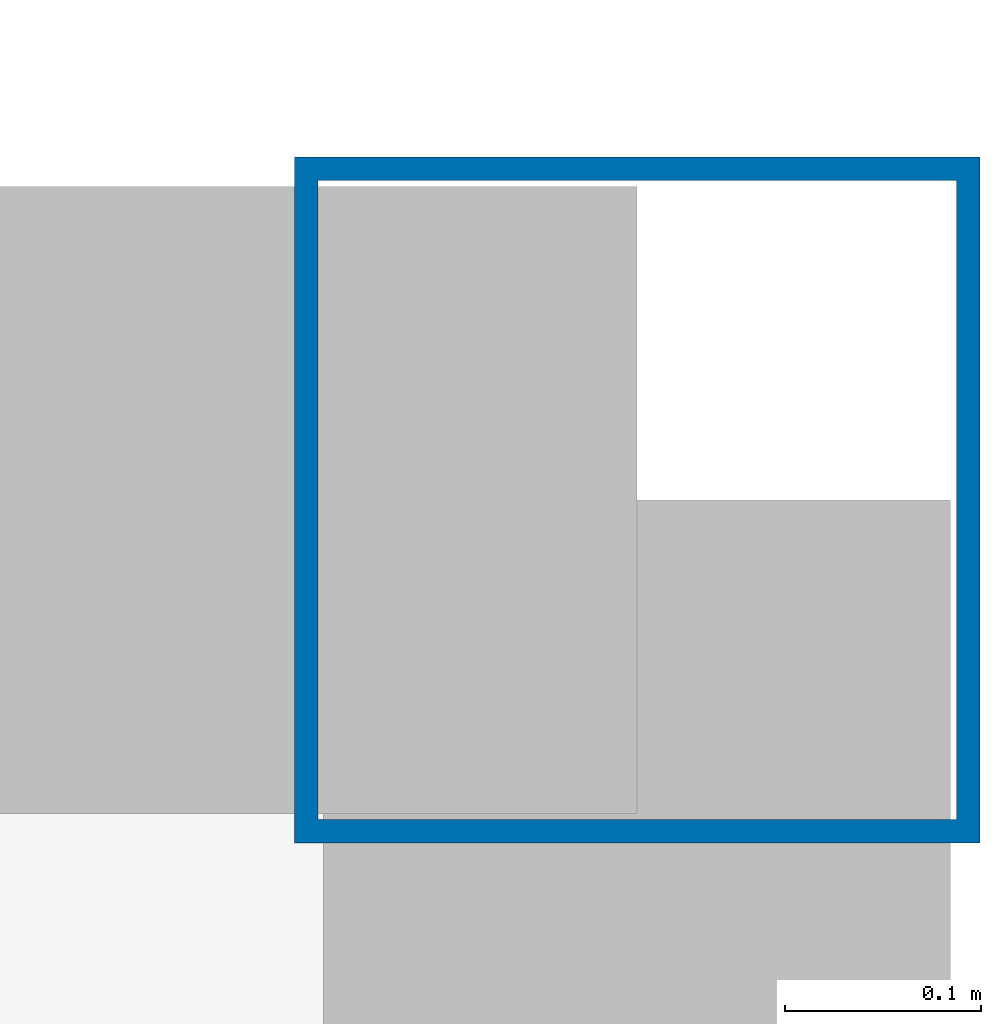
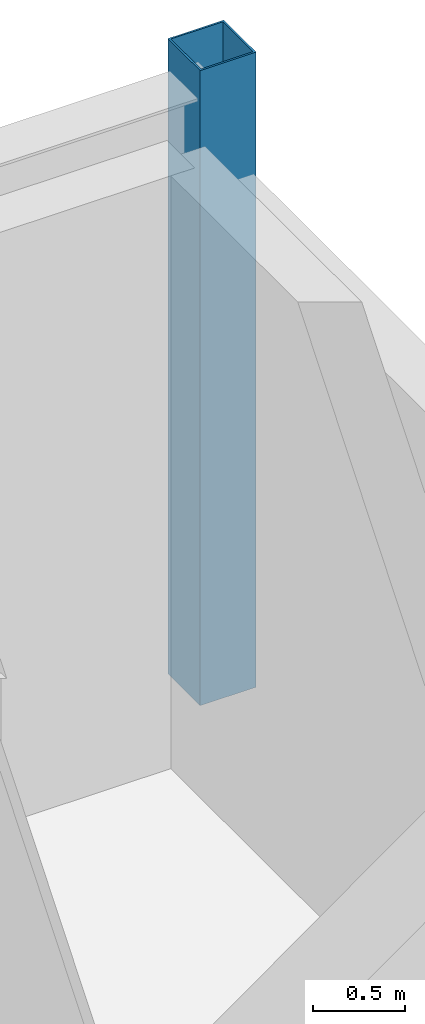
# One storey, part 14 of 39: 1 column.
"""IFC4 building model written with IfcOpenShell, lengths in metres."""

from ifc_helpers import new_model, si_unit, direction, frame, origin, origin_2d, place, context, subcontext, project, spatial, hollow_rectangle, extrude, material, material_profile, profile_set, type_object, element, save


model = new_model("IFC4")

# Units and contexts
model_context = context("Model", 3, precision=1e-05, world=origin(), true_north=direction((0.0, 1.0)))
body_context = subcontext(model_context, "Body", "Model", "MODEL_VIEW")
ifc_project = project(units=[si_unit("LENGTHUNIT", "METRE"), si_unit("AREAUNIT", "SQUARE_METRE"), si_unit("VOLUMEUNIT", "CUBIC_METRE"), si_unit("PLANEANGLEUNIT", "RADIAN"), si_unit("MASSUNIT", "GRAM", prefix="KILO")], contexts=[model_context])

# Site, building, storey
site_placement = place(None, origin())
site = spatial("IfcSite", under=ifc_project, at=site_placement, CompositionType="ELEMENT")
building_placement = place(site_placement, origin())
building = spatial("IfcBuilding", under=site, at=building_placement, Name="Kazenagashi Tramway Depot", CompositionType="ELEMENT")
storey_placement = place(building_placement, frame((0.0, 0.0, 11.1)))
storey = spatial("IfcBuildingStorey", under=building, at=storey_placement, Name="L03", CompositionType="ELEMENT", Elevation=11.1)

# Column
ifc_material = material(Name="Steel STKR490", Category="steel")
ifc_material_profile = material_profile(ifc_material, hollow_rectangle(XDim=0.35, YDim=0.35, WallThickness=0.012, at=origin_2d()), Name="SHS-350x350x12")
ifc_profile_set = profile_set([ifc_material_profile], Name="Steel STKR490")
column_type = type_object("IfcColumnType", Name="C-09", PredefinedType="COLUMN", material=ifc_profile_set)
column_placement = place(storey_placement, frame((196.0, 69.3, 0.0), z_axis=(0.0, 0.0, 1.0), x_axis=(1.0, 0.0, 0.0)))
element("IfcColumn", 1, at=column_placement, inside=storey, type_object=column_type, Name="Column C-09 COL-0528", PredefinedType="COLUMN", context=body_context, shape_type="SweptSolid", body=[
    extrude(hollow_rectangle(XDim=0.35, YDim=0.35, WallThickness=0.012, at=origin_2d()), origin(), (0.0, 0.0, 1.0), 4.2),
])

save(model, "model.ifc")
